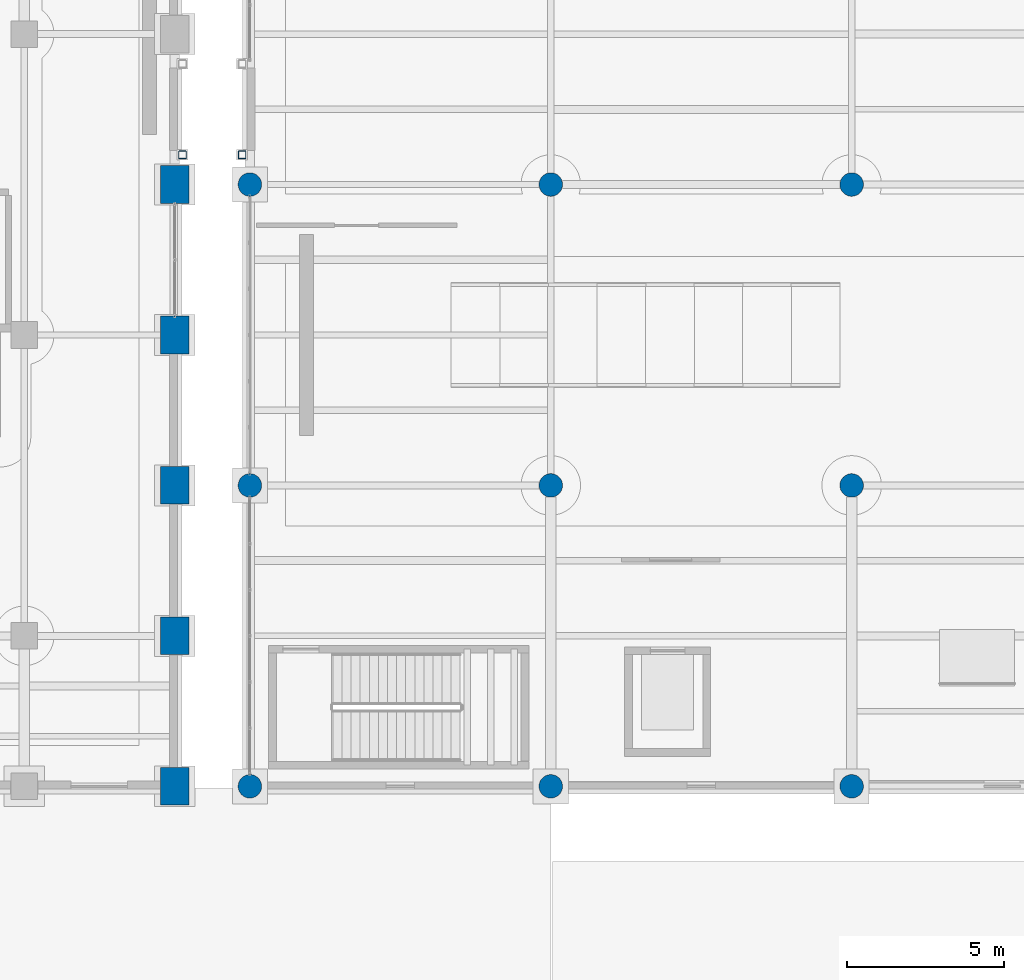
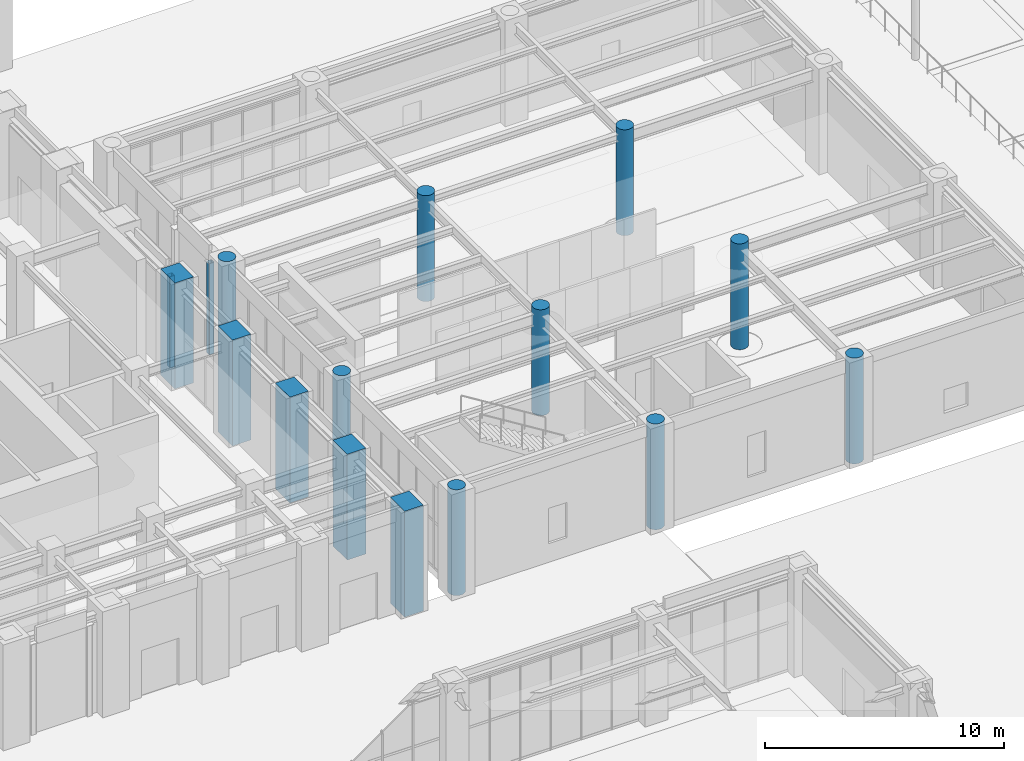
# One storey, part 6 of 164: 16 columns.
"""IFC4 building model written with IfcOpenShell, lengths in metres."""

from ifc_helpers import new_model, si_unit, direction, frame, origin, origin_2d, place, context, subcontext, project, spatial, rectangle, hollow_rectangle, circle, extrude, material, material_profile, profile_set, type_object, element, save


model = new_model("IFC4")

# Units and contexts
model_context = context("Model", 3, precision=1e-05, world=origin(), true_north=direction((0.0, 1.0)))
body_context = subcontext(model_context, "Body", "Model", "MODEL_VIEW")
ifc_project = project(units=[si_unit("LENGTHUNIT", "METRE"), si_unit("AREAUNIT", "SQUARE_METRE"), si_unit("VOLUMEUNIT", "CUBIC_METRE"), si_unit("PLANEANGLEUNIT", "RADIAN"), si_unit("MASSUNIT", "GRAM", prefix="KILO")], contexts=[model_context])

# Site, building, storey
site_placement = place(None, origin())
site = spatial("IfcSite", under=ifc_project, at=site_placement, CompositionType="ELEMENT")
building_placement = place(site_placement, origin())
building = spatial("IfcBuilding", under=site, at=building_placement, Name="Mavantir Sound Aquarium", CompositionType="ELEMENT")
storey_placement = place(building_placement, origin())
storey = spatial("IfcBuildingStorey", under=building, at=storey_placement, Name="L00", CompositionType="ELEMENT", Elevation=0.0)

# Columns
ifc_material_1 = material(Name="Concrete C40/50", Category="concrete")
ifc_material_profile_1 = material_profile(ifc_material_1, rectangle(XDim=0.89990234375, YDim=1.199951171875, at=origin_2d()), Name="RC 900X1200")
ifc_profile_set_1 = profile_set([ifc_material_profile_1], Name="Concrete C40/50")
column_type_1 = type_object("IfcColumnType", Name="COL-RC900X1200-I", PredefinedType="COLUMN", material=ifc_profile_set_1)
for number, where, z_axis, x_axis, name in (
    (1, (33.60009765625, 40.800048828125, 0.0), (0.0, 0.0, 1.0), (1.0, 0.0, 0.0), "L00 column RC-C912 (V1)"),
    (2, (33.60009765625, 45.60009765625, 0.0), (0.0, 0.0, 1.0), (1.0, 0.0, 0.0), "L00 column RC-C912 (V1)"),
    (3, (33.60009765625, 50.39990234375, 0.0), (0.0, 0.0, 1.0), (1.0, 0.0, 0.0), "L00 column RC-C912 (V1)"),
    (4, (33.60009765625, 55.199951171875, 0.0), (0.0, 0.0, 1.0), (1.0, 0.0, 0.0), "L00 column RC-C912 (V1)"),
    (5, (33.60009765625, 60.0, 0.0), (0.0, 0.0, 1.0), (1.0, 0.0, 0.0), "L00 column RC-C912 (V1)"),
):
    element("IfcColumn", number, at=place(storey_placement, frame(where, z_axis=z_axis, x_axis=x_axis)), inside=storey, type_object=column_type_1, Name=name, PredefinedType="COLUMN", context=body_context, shape_type="SweptSolid", body=[
        extrude(rectangle(XDim=0.89990234375, YDim=1.199951171875, at=origin_2d()), origin(), (0.0, 0.0, 1.0), 5.39990234375),
    ])
ifc_material_profile_2 = material_profile(ifc_material_1, circle(Radius=0.375, at=origin_2d()), Name="RC D750")
ifc_profile_set_2 = profile_set([ifc_material_profile_2], Name="Concrete C40/50")
column_type_2 = type_object("IfcColumnType", Name="COL-RCD750-I", PredefinedType="COLUMN", material=ifc_profile_set_2)
for number, where, z_axis, x_axis, name in (
    (6, (36.0, 40.800048828125, 0.0), (0.0, 0.0, 1.0), (1.0, 0.0, 0.0), "L00 column RC-CD75 (V2)"),
    (7, (36.0, 50.39990234375, 0.0), (0.0, 0.0, 1.0), (1.0, 0.0, 0.0), "L00 column RC-CD75 (V2)"),
    (8, (36.0, 60.0, 0.0), (0.0, 0.0, 1.0), (1.0, 0.0, 0.0), "L00 column RC-CD75 (V2)"),
    (9, (45.60009765625, 40.800048828125, 0.0), (0.0, 0.0, 1.0), (1.0, 0.0, 0.0), "L00 column RC-CD75 (V2)"),
    (10, (45.60009765625, 50.39990234375, 0.0), (0.0, 0.0, 1.0), (1.0, 0.0, 0.0), "L00 column RC-CD75 (V2)"),
    (11, (45.60009765625, 60.0, 0.0), (0.0, 0.0, 1.0), (1.0, 0.0, 0.0), "L00 column RC-CD75 (V2)"),
    (12, (55.199951171875, 40.800048828125, 0.0), (0.0, 0.0, 1.0), (1.0, 0.0, 0.0), "L00 column RC-CD75 (V2)"),
    (13, (55.199951171875, 50.39990234375, 0.0), (0.0, 0.0, 1.0), (1.0, 0.0, 0.0), "L00 column RC-CD75 (V2)"),
    (14, (55.199951171875, 60.0, 0.0), (0.0, 0.0, 1.0), (1.0, 0.0, 0.0), "L00 column RC-CD75 (V2)"),
):
    element("IfcColumn", number, at=place(storey_placement, frame(where, z_axis=z_axis, x_axis=x_axis)), inside=storey, type_object=column_type_2, Name=name, PredefinedType="COLUMN", context=body_context, shape_type="SweptSolid", body=[
        extrude(circle(Radius=0.375, at=origin_2d()), origin(), (0.0, 0.0, 1.0), 5.39990234375),
    ])
ifc_material_2 = material(Name="Hollow Structural Steel ASTM A500 GrC", Category="steel")
ifc_material_profile_3 = material_profile(ifc_material_2, hollow_rectangle(XDim=0.25, YDim=0.25, WallThickness=0.012451171875, InnerFilletRadius=0.012451171875, OuterFilletRadius=0.02490234375, at=origin_2d()), Name="SHS 250X250X12.5")
ifc_profile_set_3 = profile_set([ifc_material_profile_3], Name="Hollow Structural Steel ASTM A500 GrC")
column_type_3 = type_object("IfcColumnType", Name="COL-SHS250-E", PredefinedType="COLUMN", material=ifc_profile_set_3)
for number, where, z_axis, x_axis, name in (
    (15, (33.85009765625, 60.949951171875, 0.0), (0.0, 0.0, 1.0), (1.0, 0.0, 0.0), "Bridge support column 1.1 (L00)"),
    (16, (35.75, 60.949951171875, 0.0), (0.0, 0.0, 1.0), (1.0, 0.0, 0.0), "Bridge support column 1.3 (L00)"),
):
    element("IfcColumn", number, at=place(storey_placement, frame(where, z_axis=z_axis, x_axis=x_axis)), inside=storey, type_object=column_type_3, Name=name, PredefinedType="COLUMN", context=body_context, shape_type="SweptSolid", body=[
        extrude(hollow_rectangle(XDim=0.25, YDim=0.25, WallThickness=0.012451171875, InnerFilletRadius=0.012451171875, OuterFilletRadius=0.02490234375, at=origin_2d()), origin(), (0.0, 0.0, 1.0), 4.65087890625),
    ])

save(model, "model.ifc")
